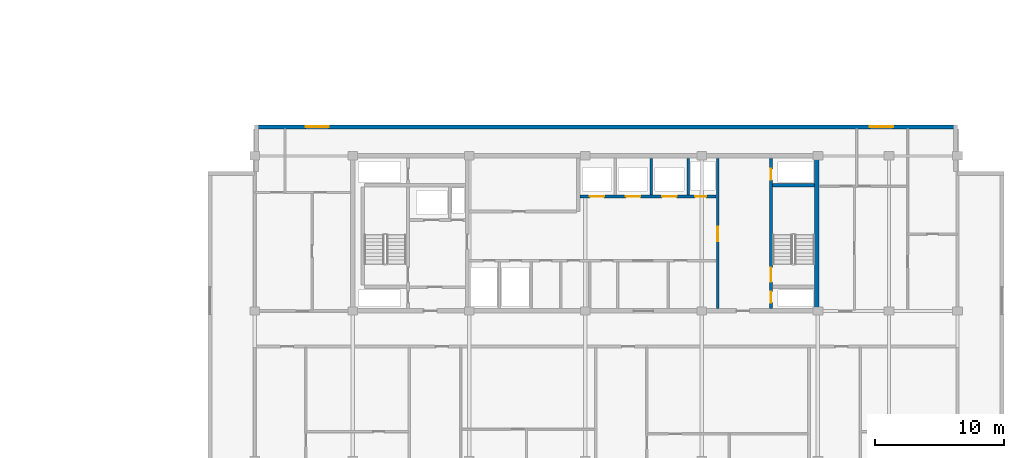
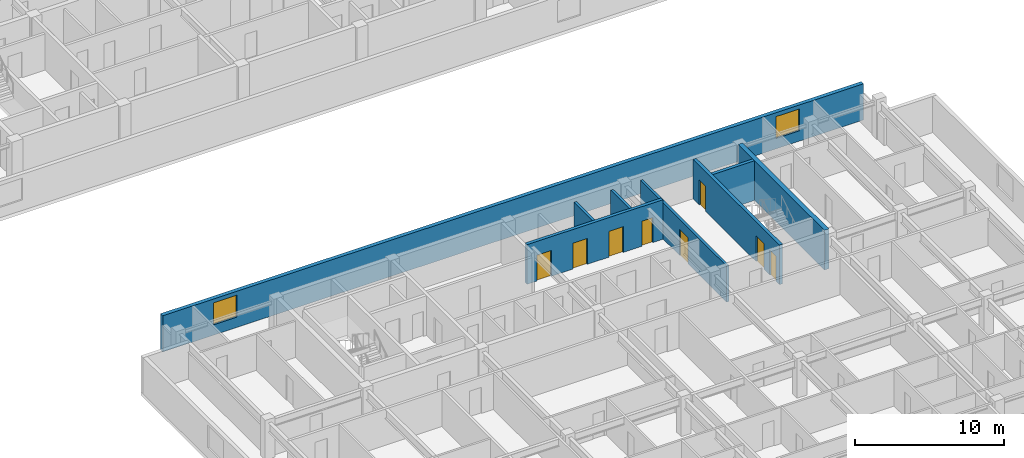
# One storey, part 7 of 21: 8 doors, 8 walls, 2 windows, 10 openings.
"""IFC4 building model written with IfcOpenShell, lengths in metres."""

from ifc_helpers import new_model, si_unit, direction, frame, frame_2d, origin, place, context, subcontext, project, spatial, rectangle, extrude, material, layer, layer_set, type_object, element, fill, save


model = new_model("IFC4")

# Units and contexts
model_context = context("Model", 3, precision=1e-05, world=origin(), true_north=direction((0.0, 1.0)))
body_context = subcontext(model_context, "Body", "Model", "MODEL_VIEW")
ifc_project = project(units=[si_unit("LENGTHUNIT", "METRE"), si_unit("AREAUNIT", "SQUARE_METRE"), si_unit("VOLUMEUNIT", "CUBIC_METRE"), si_unit("PLANEANGLEUNIT", "RADIAN"), si_unit("MASSUNIT", "GRAM", prefix="KILO")], contexts=[model_context])

# Site, building, storey
site_placement = place(None, origin())
site = spatial("IfcSite", under=ifc_project, at=site_placement, CompositionType="ELEMENT")
building_placement = place(site_placement, origin())
building = spatial("IfcBuilding", under=site, at=building_placement, Name="Korimba Cascade Residences", CompositionType="ELEMENT")
storey_placement = place(building_placement, frame((0.0, 0.0, 188.10009765625)))
storey = spatial("IfcBuildingStorey", under=building, at=storey_placement, Name="L54", CompositionType="ELEMENT", Elevation=188.10009765625)

# Wall, openings, windows
ifc_material_1 = material(Name="Precast concrete C40/50", Category="concrete")
ifc_layer_1 = layer(ifc_material_1, 0.300048828125)
ifc_layer_set_1 = layer_set([ifc_layer_1], Name="Precast concrete C40/50")
wall_type_1 = type_object("IfcWallType", Name="EW-STONE-300", PredefinedType="STANDARD", material=ifc_layer_set_1)
wall_1_placement = place(storey_placement, frame((128.89990234375, 32.64990234375, 0.0), z_axis=(0.0, 0.0, 1.0), x_axis=(-1.0, 0.0, 0.0)))
wall_1 = element("IfcWall", 1, at=wall_1_placement, inside=storey, type_object=wall_type_1, Name="L54 T2 Perimeter Stone Wall E06", PredefinedType="STANDARD", context=body_context, shape_type="SweptSolid", body=[
    extrude(rectangle(XDim=54.39990234375, YDim=0.300048828125, at=frame_2d((27.199951171875, 0.0))), origin(), (0.0, 0.0, 1.0), 2.969970703125),
])
opening_1_placement = place(wall_1_placement, frame((48.64990234375, 0.0, 0.85009765625)))
opening_1 = element("IfcOpeningElement", 2, at=opening_1_placement, cuts=wall_1, Name="Opening W-02", PredefinedType="OPENING", context=body_context, shape_type="SweptSolid", body=[
    extrude(rectangle(XDim=1.800048828125, YDim=1.800048828125, at=frame_2d((0.89990234375, 0.89990234375))), frame((0.0, 0.16015625, 0.0), z_axis=(0.0, -1.0, 0.0), x_axis=(1.0, 0.0, 0.0)), (0.0, 0.0, 1.0), 0.320068359375),
])
opening_2_placement = place(wall_1_placement, frame((4.97509765625, 0.0, 0.85009765625)))
opening_2 = element("IfcOpeningElement", 3, at=opening_2_placement, cuts=wall_1, Name="Opening W-02", PredefinedType="OPENING", context=body_context, shape_type="SweptSolid", body=[
    extrude(rectangle(XDim=1.800048828125, YDim=1.800048828125, at=frame_2d((0.89990234375, 0.89990234375))), frame((0.0, 0.16015625, 0.0), z_axis=(0.0, -1.0, 0.0), x_axis=(1.0, 0.0, 0.0)), (0.0, 0.0, 1.0), 0.320068359375),
])
ifc_material_2 = material(Name="Double-Glazed Aluminium Window", Category="aluminium")
window_type = type_object("IfcWindowType", Name="WIN-BED-1800", PartitioningType="SINGLE_PANEL", PredefinedType="WINDOW", material=ifc_material_2)
window_1_placement = place(opening_1_placement, origin())
window_1 = element("IfcWindow", 4, at=window_1_placement, inside=storey, type_object=window_type, Name="L54 T2 North Corner Bedroom Window 1", OverallHeight=1.800048828125, OverallWidth=1.800048828125, PartitioningType="SINGLE_PANEL", PredefinedType="WINDOW", context=body_context, shape_type="SweptSolid", body=[
    extrude(rectangle(XDim=1.800048828125, YDim=1.800048828125, at=frame_2d((0.89990234375, 0.89990234375))), frame((0.0, 0.030029296875, 0.0), z_axis=(0.0, -1.0, 0.0), x_axis=(1.0, 0.0, 0.0)), (0.0, 0.0, 1.0), 0.06005859375),
])
fill(opening_1, window_1)
window_2_placement = place(opening_2_placement, origin())
window_2 = element("IfcWindow", 5, at=window_2_placement, inside=storey, type_object=window_type, Name="L54 T2 North Corner Bedroom Window 2", OverallHeight=1.800048828125, OverallWidth=1.800048828125, PartitioningType="SINGLE_PANEL", PredefinedType="WINDOW", context=body_context, shape_type="SweptSolid", body=[
    extrude(rectangle(XDim=1.800048828125, YDim=1.800048828125, at=frame_2d((0.89990234375, 0.89990234375))), frame((0.0, 0.030029296875, 0.0), z_axis=(0.0, -1.0, 0.0), x_axis=(1.0, 0.0, 0.0)), (0.0, 0.0, 1.0), 0.06005859375),
])
fill(opening_2, window_2)

# Walls
ifc_material_3 = material(Name="Concrete C65/80", Category="concrete")
ifc_layer_2 = layer(ifc_material_3, 0.35009765625)
ifc_layer_set_2 = layer_set([ifc_layer_2], Name="Concrete C65/80")
wall_type_2 = type_object("IfcWallType", Name="WAL-CORE-350", PredefinedType="SHEAR", material=ifc_layer_set_2)
wall_2_placement = place(storey_placement, frame((118.014892578125, 18.574951171875, 0.0), z_axis=(0.0, 0.0, 1.0), x_axis=(0.0, 1.0, 0.0)))
element("IfcWall", 6, at=wall_2_placement, inside=storey, type_object=wall_type_2, Name="L54 Core Shear Wall CW-L54-T2-E", PredefinedType="SHEAR", context=body_context, shape_type="SweptSolid", body=[
    extrude(rectangle(XDim=11.650146484375, YDim=0.35009765625, at=frame_2d((5.8251953125, 0.0))), origin(), (0.0, 0.0, 1.0), 3.25),
])
ifc_material_4 = material(Name="Concrete C40/50", Category="concrete")
ifc_layer_3 = layer(ifc_material_4, 0.199951171875)
ifc_layer_set_3 = layer_set([ifc_layer_3], Name="Concrete C40/50")
wall_type_3 = type_object("IfcWallType", Name="WAL-PART-200", PredefinedType="PARTITIONING", material=ifc_layer_set_3)
for number, where, z_axis, x_axis, name in (
    (7, (105.199951171875, 27.3798828125, 0.0), (0.0, 0.0, 1.0), (0.0, 1.0, 0.0), "L54 Partition Wall CW-L54-T2-B2D2"),
    (8, (108.050048828125, 27.3798828125, 0.0), (0.0, 0.0, 1.0), (0.0, 1.0, 0.0), "L54 Partition Wall CW-L54-T2-B2D3"),
):
    element("IfcWall", number, at=place(storey_placement, frame(where, z_axis=z_axis, x_axis=x_axis)), inside=storey, type_object=wall_type_3, Name=name, PredefinedType="PARTITIONING", context=body_context, shape_type="SweptSolid", body=[
        extrude(rectangle(XDim=2.820068359375, YDim=0.199951171875, at=frame_2d((1.41015625, 0.0))), origin(), (0.0, 0.0, 1.0), 2.969970703125),
    ])

# Wall, opening, door
wall_3_placement = place(storey_placement, frame((110.35009765625, 18.60009765625, 0.0), z_axis=(0.0, 0.0, 1.0), x_axis=(0.0, 1.0, 0.0)))
wall_3 = element("IfcWall", 9, at=wall_3_placement, inside=storey, type_object=wall_type_3, Name="L54 Partition Wall CW-L54-T2-LLEV", PredefinedType="PARTITIONING", context=body_context, shape_type="SweptSolid", body=[
    extrude(rectangle(XDim=11.599853515625, YDim=0.199951171875, at=frame_2d((5.7998046875, 0.0))), origin(), (0.0, 0.0, 1.0), 2.969970703125),
])
opening_3_placement = place(wall_3_placement, frame((5.199951171875, 0.0, 0.0)))
opening_3 = element("IfcOpeningElement", 10, at=opening_3_placement, cuts=wall_3, Name="Opening D-FD6", PredefinedType="OPENING", context=body_context, shape_type="SweptSolid", body=[
    extrude(rectangle(XDim=1.10009765625, YDim=2.14990234375, at=frame_2d((0.550048828125, 1.074951171875))), frame((0.0, 0.10986328125, 0.0), z_axis=(0.0, -1.0, 0.0), x_axis=(1.0, 0.0, 0.0)), (0.0, 0.0, 1.0), 0.219970703125),
])
ifc_material_5 = material(Name="Fire-Rated Timber Stair Lobby Door", Category="wood")
door_type_1 = type_object("IfcDoorType", Name="DR-FD90-1100", OperationType="NOTDEFINED", PredefinedType="DOOR", material=ifc_material_5)
door_1_placement = place(opening_3_placement, origin())
door_1 = element("IfcDoor", 11, at=door_1_placement, inside=storey, type_object=door_type_1, Name="L54 T2 Lift Lobby to East Stair Lobby Door", OperationType="SINGLE_SWING_RIGHT", OverallHeight=2.14990234375, OverallWidth=1.10009765625, PredefinedType="DOOR", context=body_context, shape_type="SweptSolid", body=[
    extrude(rectangle(XDim=1.10009765625, YDim=2.14990234375, at=frame_2d((0.550048828125, 1.074951171875))), frame((0.0, 0.02490234375, 0.0), z_axis=(0.0, -1.0, 0.0), x_axis=(1.0, 0.0, 0.0)), (0.0, 0.0, 1.0), 0.050048828125),
])
fill(opening_3, door_1)

# Wall, openings, doors
ifc_material_6 = material(Name="Concrete C50/60", Category="concrete")
ifc_layer_4 = layer(ifc_material_6, 0.25)
ifc_layer_set_4 = layer_set([ifc_layer_4], Name="Concrete C50/60")
wall_type_4 = type_object("IfcWallType", Name="WAL-SHAFT-250", PredefinedType="SHEAR", material=ifc_layer_set_4)
wall_4_placement = place(storey_placement, frame((99.679931640625, 27.25, 0.0), z_axis=(0.0, 0.0, 1.0), x_axis=(1.0, 0.0, 0.0)))
wall_4 = element("IfcWall", 12, at=wall_4_placement, inside=storey, type_object=wall_type_4, Name="L54 Core Shear Wall CW-L54-T2-B2S", PredefinedType="SHEAR", context=body_context, shape_type="SweptSolid", body=[
    extrude(rectangle(XDim=10.5400390625, YDim=0.25, at=frame_2d((5.27001953125, 0.0))), origin(), (0.0, 0.0, 1.0), 3.25),
])
opening_4_placement = place(wall_4_placement, frame((0.760009765625, 0.0, 0.0)))
opening_4 = element("IfcOpeningElement", 13, at=opening_4_placement, cuts=wall_4, Name="Opening LD-01", PredefinedType="OPENING", context=body_context, shape_type="SweptSolid", body=[
    extrude(rectangle(XDim=1.1201171875, YDim=2.1201171875, at=frame_2d((0.56005859375, 1.06005859375))), frame((0.0, 0.135009765625, 0.0), z_axis=(0.0, -1.0, 0.0), x_axis=(1.0, 0.0, 0.0)), (0.0, 0.0, 1.0), 0.27001953125),
])
opening_5_placement = place(wall_4_placement, frame((3.56005859375, 0.0, 0.0)))
opening_5 = element("IfcOpeningElement", 14, at=opening_5_placement, cuts=wall_4, Name="Opening LD-01", PredefinedType="OPENING", context=body_context, shape_type="SweptSolid", body=[
    extrude(rectangle(XDim=1.1201171875, YDim=2.1201171875, at=frame_2d((0.56005859375, 1.06005859375))), frame((0.0, 0.135009765625, 0.0), z_axis=(0.0, -1.0, 0.0), x_axis=(1.0, 0.0, 0.0)), (0.0, 0.0, 1.0), 0.27001953125),
])
opening_6_placement = place(wall_4_placement, frame((6.360107421875, 0.0, 0.0)))
opening_6 = element("IfcOpeningElement", 15, at=opening_6_placement, cuts=wall_4, Name="Opening LD-01", PredefinedType="OPENING", context=body_context, shape_type="SweptSolid", body=[
    extrude(rectangle(XDim=1.1201171875, YDim=2.1201171875, at=frame_2d((0.56005859375, 1.06005859375))), frame((0.0, 0.135009765625, 0.0), z_axis=(0.0, -1.0, 0.0), x_axis=(1.0, 0.0, 0.0)), (0.0, 0.0, 1.0), 0.27001953125),
])
opening_7_placement = place(wall_4_placement, frame((8.919921875, 0.0, 0.0)))
opening_7 = element("IfcOpeningElement", 16, at=opening_7_placement, cuts=wall_4, Name="Opening D-RS1", PredefinedType="OPENING", context=body_context, shape_type="SweptSolid", body=[
    extrude(rectangle(XDim=0.85009765625, YDim=2.050048828125, at=frame_2d((0.425048828125, 1.02490234375))), frame((0.0, 0.135009765625, 0.0), z_axis=(0.0, -1.0, 0.0), x_axis=(1.0, 0.0, 0.0)), (0.0, 0.0, 1.0), 0.27001953125),
])
ifc_material_7 = material(Name="Fire-Rated Steel Riser Access Door", Category="steel")
door_type_2 = type_object("IfcDoorType", Name="DR-FD60-850", OperationType="NOTDEFINED", PredefinedType="DOOR", material=ifc_material_7)
door_2_placement = place(opening_7_placement, origin())
door_2 = element("IfcDoor", 17, at=door_2_placement, inside=storey, type_object=door_type_2, Name="L54 T2 Duct Door", OperationType="SINGLE_SWING_LEFT", OverallHeight=2.050048828125, OverallWidth=0.85009765625, PredefinedType="DOOR", context=body_context, shape_type="SweptSolid", body=[
    extrude(rectangle(XDim=0.85009765625, YDim=2.050048828125, at=frame_2d((0.425048828125, 1.02490234375))), frame((0.0, 0.02490234375, 0.0), z_axis=(0.0, -1.0, 0.0), x_axis=(1.0, 0.0, 0.0)), (0.0, 0.0, 1.0), 0.050048828125),
])
fill(opening_7, door_2)
ifc_material_8 = material(Name="Stainless Steel Lift Landing Sliding Door", Category="steel")
door_type_3 = type_object("IfcDoorType", Name="DR-LIFT-1100", OperationType="NOTDEFINED", PredefinedType="DOOR", material=ifc_material_8)
door_3_placement = place(opening_4_placement, origin())
door_3 = element("IfcDoor", 18, at=door_3_placement, inside=storey, type_object=door_type_3, Name="L54 Lift Landing Door PL-E4", OperationType="SLIDING_TO_RIGHT", OverallHeight=2.1201171875, OverallWidth=1.1201171875, PredefinedType="DOOR", context=body_context, shape_type="SweptSolid", body=[
    extrude(rectangle(XDim=1.1201171875, YDim=2.1201171875, at=frame_2d((0.56005859375, 1.06005859375))), frame((0.0, 0.02490234375, 0.0), z_axis=(0.0, -1.0, 0.0), x_axis=(1.0, 0.0, 0.0)), (0.0, 0.0, 1.0), 0.050048828125),
])
fill(opening_4, door_3)
door_4_placement = place(opening_5_placement, origin())
door_4 = element("IfcDoor", 19, at=door_4_placement, inside=storey, type_object=door_type_3, Name="L54 Lift Landing Door PL-E5", OperationType="SLIDING_TO_RIGHT", OverallHeight=2.1201171875, OverallWidth=1.1201171875, PredefinedType="DOOR", context=body_context, shape_type="SweptSolid", body=[
    extrude(rectangle(XDim=1.1201171875, YDim=2.1201171875, at=frame_2d((0.56005859375, 1.06005859375))), frame((0.0, 0.02490234375, 0.0), z_axis=(0.0, -1.0, 0.0), x_axis=(1.0, 0.0, 0.0)), (0.0, 0.0, 1.0), 0.050048828125),
])
fill(opening_5, door_4)
door_5_placement = place(opening_6_placement, origin())
door_5 = element("IfcDoor", 20, at=door_5_placement, inside=storey, type_object=door_type_3, Name="L54 Lift Landing Door PL-E6", OperationType="SLIDING_TO_RIGHT", OverallHeight=2.1201171875, OverallWidth=1.1201171875, PredefinedType="DOOR", context=body_context, shape_type="SweptSolid", body=[
    extrude(rectangle(XDim=1.1201171875, YDim=2.1201171875, at=frame_2d((0.56005859375, 1.06005859375))), frame((0.0, 0.02490234375, 0.0), z_axis=(0.0, -1.0, 0.0), x_axis=(1.0, 0.0, 0.0)), (0.0, 0.0, 1.0), 0.050048828125),
])
fill(opening_6, door_5)

wall_5_placement = place(storey_placement, frame((114.47509765625, 18.60009765625, 0.0), z_axis=(0.0, 0.0, 1.0), x_axis=(0.0, 1.0, 0.0)))
wall_5 = element("IfcWall", 21, at=wall_5_placement, inside=storey, type_object=wall_type_4, Name="L54 Core Shear Wall CW-L54-T2-STE2W", PredefinedType="SHEAR", context=body_context, shape_type="SweptSolid", body=[
    extrude(rectangle(XDim=11.599853515625, YDim=0.25, at=frame_2d((5.7998046875, 0.0))), origin(), (0.0, 0.0, 1.0), 3.25),
])
opening_8_placement = place(wall_5_placement, frame((0.449951171875, 0.0, 0.0)))
opening_8 = element("IfcOpeningElement", 22, at=opening_8_placement, cuts=wall_5, Name="Opening D-RS1", PredefinedType="OPENING", context=body_context, shape_type="SweptSolid", body=[
    extrude(rectangle(XDim=0.85009765625, YDim=2.050048828125, at=frame_2d((0.425048828125, 1.02490234375))), frame((0.0, 0.135009765625, 0.0), z_axis=(0.0, -1.0, 0.0), x_axis=(1.0, 0.0, 0.0)), (0.0, 0.0, 1.0), 0.27001953125),
])
opening_9_placement = place(wall_5_placement, frame((2.050048828125, 0.0, 0.0)))
opening_9 = element("IfcOpeningElement", 23, at=opening_9_placement, cuts=wall_5, Name="Opening D-FD1", PredefinedType="OPENING", context=body_context, shape_type="SweptSolid", body=[
    extrude(rectangle(XDim=1.10009765625, YDim=2.10009765625, at=frame_2d((0.550048828125, 1.050048828125))), frame((0.0, 0.135009765625, 0.0), z_axis=(0.0, -1.0, 0.0), x_axis=(1.0, 0.0, 0.0)), (0.0, 0.0, 1.0), 0.27001953125),
])
opening_10_placement = place(wall_5_placement, frame((9.949951171875, 0.0, 0.0)))
opening_10 = element("IfcOpeningElement", 24, at=opening_10_placement, cuts=wall_5, Name="Opening D-RS1", PredefinedType="OPENING", context=body_context, shape_type="SweptSolid", body=[
    extrude(rectangle(XDim=0.85009765625, YDim=2.050048828125, at=frame_2d((0.425048828125, 1.02490234375))), frame((0.0, 0.135009765625, 0.0), z_axis=(0.0, -1.0, 0.0), x_axis=(1.0, 0.0, 0.0)), (0.0, 0.0, 1.0), 0.27001953125),
])
ifc_material_9 = material(Name="Fire-Rated Steel Core Door", Category="steel")
door_type_4 = type_object("IfcDoorType", Name="DR-FD120-1100", OperationType="NOTDEFINED", PredefinedType="DOOR", material=ifc_material_9)
door_6_placement = place(opening_9_placement, origin())
door_6 = element("IfcDoor", 25, at=door_6_placement, inside=storey, type_object=door_type_4, Name="L54 Fire Stair ST-E2 Door", OperationType="SINGLE_SWING_RIGHT", OverallHeight=2.10009765625, OverallWidth=1.10009765625, PredefinedType="DOOR", context=body_context, shape_type="SweptSolid", body=[
    extrude(rectangle(XDim=1.10009765625, YDim=2.10009765625, at=frame_2d((0.550048828125, 1.050048828125))), frame((0.0, 0.02490234375, 0.0), z_axis=(0.0, -1.0, 0.0), x_axis=(1.0, 0.0, 0.0)), (0.0, 0.0, 1.0), 0.050048828125),
])
fill(opening_9, door_6)
door_7_placement = place(opening_8_placement, origin())
door_7 = element("IfcDoor", 26, at=door_7_placement, inside=storey, type_object=door_type_2, Name="L54 T2 East Hydrant Door", OperationType="SINGLE_SWING_LEFT", OverallHeight=2.050048828125, OverallWidth=0.85009765625, PredefinedType="DOOR", context=body_context, shape_type="SweptSolid", body=[
    extrude(rectangle(XDim=0.85009765625, YDim=2.050048828125, at=frame_2d((0.425048828125, 1.02490234375))), frame((0.0, 0.02490234375, 0.0), z_axis=(0.0, -1.0, 0.0), x_axis=(1.0, 0.0, 0.0)), (0.0, 0.0, 1.0), 0.050048828125),
])
fill(opening_8, door_7)
door_8_placement = place(opening_10_placement, origin())
door_8 = element("IfcDoor", 27, at=door_8_placement, inside=storey, type_object=door_type_2, Name="L54 T2 East Riser Door", OperationType="SINGLE_SWING_LEFT", OverallHeight=2.050048828125, OverallWidth=0.85009765625, PredefinedType="DOOR", context=body_context, shape_type="SweptSolid", body=[
    extrude(rectangle(XDim=0.85009765625, YDim=2.050048828125, at=frame_2d((0.425048828125, 1.02490234375))), frame((0.0, 0.02490234375, 0.0), z_axis=(0.0, -1.0, 0.0), x_axis=(1.0, 0.0, 0.0)), (0.0, 0.0, 1.0), 0.050048828125),
])
fill(opening_10, door_8)

# Wall
wall_6_placement = place(storey_placement, frame((114.60009765625, 28.125, 0.0), z_axis=(0.0, 0.0, 1.0), x_axis=(1.0, 0.0, 0.0)))
element("IfcWall", 28, at=wall_6_placement, inside=storey, type_object=wall_type_4, Name="L54 Core Shear Wall CW-L54-T2-STE2N", PredefinedType="SHEAR", context=body_context, shape_type="SweptSolid", body=[
    extrude(rectangle(XDim=3.239990234375, YDim=0.25, at=frame_2d((1.6201171875, 0.0))), origin(), (0.0, 0.0, 1.0), 3.25),
])

save(model, "model.ifc")
